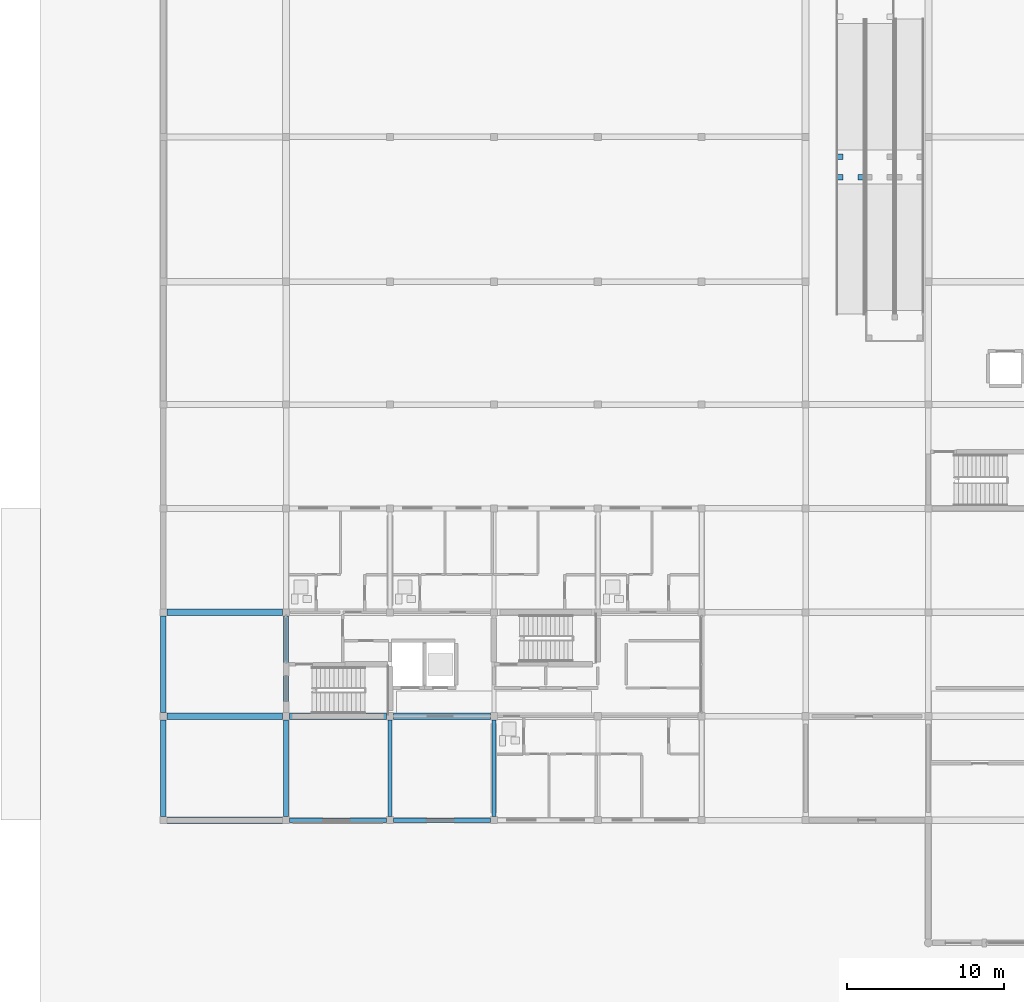
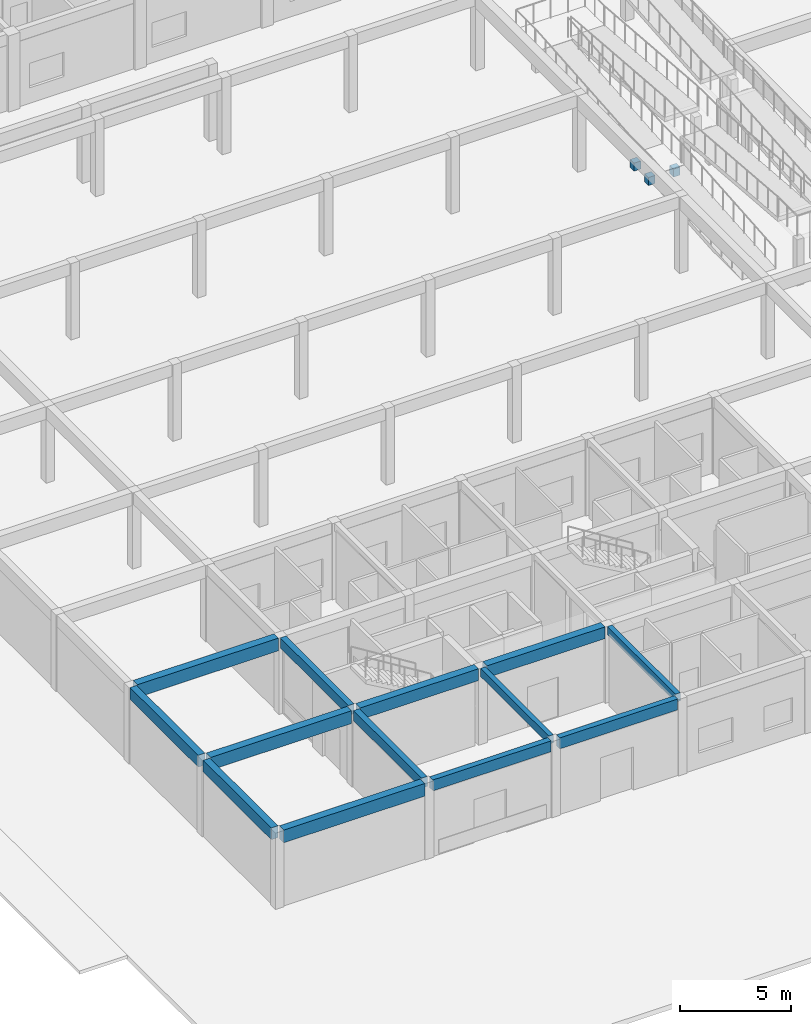
# One storey, part 9 of 75: 13 beams, 3 columns.
"""IFC4 building model written with IfcOpenShell, lengths in metres."""

from ifc_helpers import new_model, si_unit, direction, frame, origin, origin_2d, place, context, subcontext, project, spatial, rectangle, extrude, material, material_profile, profile_set, type_object, element, save


model = new_model("IFC4")

# Units and contexts
model_context = context("Model", 3, precision=1e-05, world=origin(), true_north=direction((0.0, 1.0)))
body_context = subcontext(model_context, "Body", "Model", "MODEL_VIEW")
ifc_project = project(units=[si_unit("LENGTHUNIT", "METRE"), si_unit("AREAUNIT", "SQUARE_METRE"), si_unit("VOLUMEUNIT", "CUBIC_METRE"), si_unit("PLANEANGLEUNIT", "RADIAN"), si_unit("MASSUNIT", "GRAM", prefix="KILO")], contexts=[model_context])

# Site, building, storey
site_placement = place(None, origin())
site = spatial("IfcSite", under=ifc_project, at=site_placement, CompositionType="ELEMENT")
building_placement = place(site_placement, origin())
building = spatial("IfcBuilding", under=site, at=building_placement, Name="Kernevlak Ridge Housing Community", CompositionType="ELEMENT")
storey_placement = place(building_placement, origin())
storey = spatial("IfcBuildingStorey", under=building, at=storey_placement, Name="L00", CompositionType="ELEMENT", Elevation=0.0)

# Columns
ifc_material = material(Name="Concrete C35/45", Category="concrete")
ifc_material_profile_1 = material_profile(ifc_material, rectangle(XDim=0.35009765625, YDim=0.35009765625, at=origin_2d()), Name="RC 350x350")
ifc_profile_set_1 = profile_set([ifc_material_profile_1], Name="Concrete C35/45")
column_type = type_object("IfcColumnType", Name="C-06", PredefinedType="COLUMN", material=ifc_profile_set_1)
for number, where, z_axis, x_axis, name in (
    (1, (50.800048828125, 56.449951171875, 0.0), (0.0, 0.0, 1.0), (1.0, 0.0, 0.0), "Column C-06 COL-RMP-L00-01"),
    (2, (52.10009765625, 56.449951171875, 0.0), (0.0, 0.0, 1.0), (1.0, 0.0, 0.0), "Column C-06 COL-RMP-L00-02"),
    (3, (50.800048828125, 57.75, 0.0), (0.0, 0.0, 1.0), (1.0, 0.0, 0.0), "Column C-06 COL-RMP-L00-03"),
):
    element("IfcColumn", number, at=place(storey_placement, frame(where, z_axis=z_axis, x_axis=x_axis)), inside=storey, type_object=column_type, Name=name, PredefinedType="COLUMN", context=body_context, shape_type="SweptSolid", body=[
        extrude(rectangle(XDim=0.35009765625, YDim=0.35009765625, at=origin_2d()), origin(), (0.0, 0.0, 1.0), 0.43994140625),
    ])

# Beams
ifc_material_profile_2 = material_profile(ifc_material, rectangle(XDim=0.39990234375, YDim=0.699951171875, at=origin_2d()), Name="RC 400x700")
ifc_profile_set_2 = profile_set([ifc_material_profile_2], Name="Concrete C35/45")
beam_type_1 = type_object("IfcBeamType", Name="B-01", PredefinedType="BEAM", material=ifc_profile_set_2)
for number, where, z_axis, x_axis, name in (
    (4, (8.02490234375, 15.60009765625, 3.85009765625), (1.0, 0.0, 0.0), (0.0, 1.0, 0.0), "Beam B-01 L00 2053"),
    (5, (8.02490234375, 22.199951171875, 3.85009765625), (1.0, 0.0, 0.0), (0.0, 1.0, 0.0), "Beam B-01 L00 2066"),
    (6, (8.02490234375, 28.800048828125, 3.85009765625), (1.0, 0.0, 0.0), (0.0, 1.0, 0.0), "Beam B-01 L00 2079"),
):
    element("IfcBeam", number, at=place(storey_placement, frame(where, z_axis=z_axis, x_axis=x_axis)), inside=storey, type_object=beam_type_1, Name=name, PredefinedType="BEAM", context=body_context, shape_type="SweptSolid", body=[
        extrude(rectangle(XDim=0.39990234375, YDim=0.699951171875, at=origin_2d()), origin(), (0.0, 0.0, 1.0), 7.35009765625),
    ])
ifc_material_profile_3 = material_profile(ifc_material, rectangle(XDim=0.35009765625, YDim=0.64990234375, at=origin_2d()), Name="RC 350x650")
ifc_profile_set_3 = profile_set([ifc_material_profile_3], Name="Concrete C35/45")
beam_type_2 = type_object("IfcBeamType", Name="B-02", PredefinedType="BEAM", material=ifc_profile_set_3)
beam_1_placement = place(storey_placement, frame((7.800048828125, 15.824951171875, 3.875), z_axis=(0.0, 1.0, 0.0), x_axis=(-1.0, 0.0, 0.0)))
element("IfcBeam", 7, at=beam_1_placement, inside=storey, type_object=beam_type_2, Name="Beam B-02 L00 2269", PredefinedType="BEAM", context=body_context, shape_type="SweptSolid", body=[
    extrude(rectangle(XDim=0.35009765625, YDim=0.64990234375, at=origin_2d()), origin(), (0.0, 0.0, 1.0), 6.150146484375),
])
beam_2_placement = place(storey_placement, frame((7.800048828125, 22.425048828125, 3.875), z_axis=(0.0, 1.0, 0.0), x_axis=(-1.0, 0.0, 0.0)))
element("IfcBeam", 8, at=beam_2_placement, inside=storey, type_object=beam_type_2, Name="Beam B-02 L00 2270", PredefinedType="BEAM", context=body_context, shape_type="SweptSolid", body=[
    extrude(rectangle(XDim=0.35009765625, YDim=0.64990234375, at=origin_2d()), origin(), (0.0, 0.0, 1.0), 6.14990234375),
])
ifc_material_profile_4 = material_profile(ifc_material, rectangle(XDim=0.39990234375, YDim=0.64990234375, at=origin_2d()), Name="RC 400x650")
ifc_profile_set_4 = profile_set([ifc_material_profile_4], Name="Concrete C35/45")
beam_type_3 = type_object("IfcBeamType", Name="B-03", PredefinedType="T_BEAM", material=ifc_profile_set_4)
beam_3_placement = place(storey_placement, frame((15.824951171875, 22.199951171875, 3.875), z_axis=(1.0, 0.0, 0.0), x_axis=(0.0, 1.0, 0.0)))
element("IfcBeam", 9, at=beam_3_placement, inside=storey, type_object=beam_type_3, Name="Beam B-03 L00 1312", PredefinedType="T_BEAM", context=body_context, shape_type="SweptSolid", body=[
    extrude(rectangle(XDim=0.39990234375, YDim=0.64990234375, at=origin_2d()), origin(), (0.0, 0.0, 1.0), 6.150146484375),
])
beam_4_placement = place(storey_placement, frame((22.425048828125, 22.199951171875, 3.875), z_axis=(1.0, 0.0, 0.0), x_axis=(0.0, 1.0, 0.0)))
element("IfcBeam", 10, at=beam_4_placement, inside=storey, type_object=beam_type_3, Name="Beam B-03 L00 1313", PredefinedType="T_BEAM", context=body_context, shape_type="SweptSolid", body=[
    extrude(rectangle(XDim=0.39990234375, YDim=0.64990234375, at=origin_2d()), origin(), (0.0, 0.0, 1.0), 6.14990234375),
])
ifc_material_profile_5 = material_profile(ifc_material, rectangle(XDim=0.25, YDim=0.449951171875, at=origin_2d()), Name="RC 250x450")
ifc_profile_set_5 = profile_set([ifc_material_profile_5], Name="Concrete C35/45")
beam_type_4 = type_object("IfcBeamType", Name="B-04", PredefinedType="T_BEAM", material=ifc_profile_set_5)
for number, where, z_axis, x_axis, name in (
    (11, (22.199951171875, 15.824951171875, 3.97509765625), (0.0, 1.0, 0.0), (-1.0, 0.0, 0.0), "Beam B-04 L00 1327"),
    (12, (28.800048828125, 15.824951171875, 3.97509765625), (0.0, 1.0, 0.0), (-1.0, 0.0, 0.0), "Beam B-04 L00 1329"),
):
    element("IfcBeam", number, at=place(storey_placement, frame(where, z_axis=z_axis, x_axis=x_axis)), inside=storey, type_object=beam_type_4, Name=name, PredefinedType="T_BEAM", context=body_context, shape_type="SweptSolid", body=[
        extrude(rectangle(XDim=0.25, YDim=0.449951171875, at=origin_2d()), origin(), (0.0, 0.0, 1.0), 6.150146484375),
    ])
ifc_material_profile_6 = material_profile(ifc_material, rectangle(XDim=0.300048828125, YDim=0.550048828125, at=origin_2d()), Name="RC 300x550")
ifc_profile_set_6 = profile_set([ifc_material_profile_6], Name="Concrete C35/45")
beam_type_5 = type_object("IfcBeamType", Name="SP-01", PredefinedType="SPANDREL", material=ifc_profile_set_6)
beam_5_placement = place(storey_placement, frame((15.60009765625, 15.824951171875, 3.925048828125), z_axis=(0.0, 1.0, 0.0), x_axis=(-1.0, 0.0, 0.0)))
element("IfcBeam", 13, at=beam_5_placement, inside=storey, type_object=beam_type_5, Name="Beam SP-01 L00 1324", PredefinedType="SPANDREL", context=body_context, shape_type="SweptSolid", body=[
    extrude(rectangle(XDim=0.300048828125, YDim=0.550048828125, at=origin_2d()), origin(), (0.0, 0.0, 1.0), 6.150146484375),
])
beam_6_placement = place(storey_placement, frame((15.60009765625, 22.425048828125, 3.925048828125), z_axis=(0.0, 1.0, 0.0), x_axis=(-1.0, 0.0, 0.0)))
element("IfcBeam", 14, at=beam_6_placement, inside=storey, type_object=beam_type_5, Name="Beam SP-01 L00 1325", PredefinedType="SPANDREL", context=body_context, shape_type="SweptSolid", body=[
    extrude(rectangle(XDim=0.300048828125, YDim=0.550048828125, at=origin_2d()), origin(), (0.0, 0.0, 1.0), 6.14990234375),
])
ifc_material_profile_7 = material_profile(ifc_material, rectangle(XDim=0.300048828125, YDim=0.60009765625, at=origin_2d()), Name="RC 300x600")
ifc_profile_set_7 = profile_set([ifc_material_profile_7], Name="Concrete C35/45")
beam_type_6 = type_object("IfcBeamType", Name="SP-02", PredefinedType="SPANDREL", material=ifc_profile_set_7)
beam_7_placement = place(storey_placement, frame((15.824951171875, 15.60009765625, 3.89990234375), z_axis=(1.0, 0.0, 0.0), x_axis=(0.0, 1.0, 0.0)))
element("IfcBeam", 15, at=beam_7_placement, inside=storey, type_object=beam_type_6, Name="Beam SP-02 L00 1308", PredefinedType="SPANDREL", context=body_context, shape_type="SweptSolid", body=[
    extrude(rectangle(XDim=0.300048828125, YDim=0.60009765625, at=origin_2d()), origin(), (0.0, 0.0, 1.0), 6.150146484375),
])
beam_8_placement = place(storey_placement, frame((22.425048828125, 15.60009765625, 3.89990234375), z_axis=(1.0, 0.0, 0.0), x_axis=(0.0, 1.0, 0.0)))
element("IfcBeam", 16, at=beam_8_placement, inside=storey, type_object=beam_type_6, Name="Beam SP-02 L00 1309", PredefinedType="SPANDREL", context=body_context, shape_type="SweptSolid", body=[
    extrude(rectangle(XDim=0.300048828125, YDim=0.60009765625, at=origin_2d()), origin(), (0.0, 0.0, 1.0), 6.14990234375),
])

save(model, "model.ifc")
